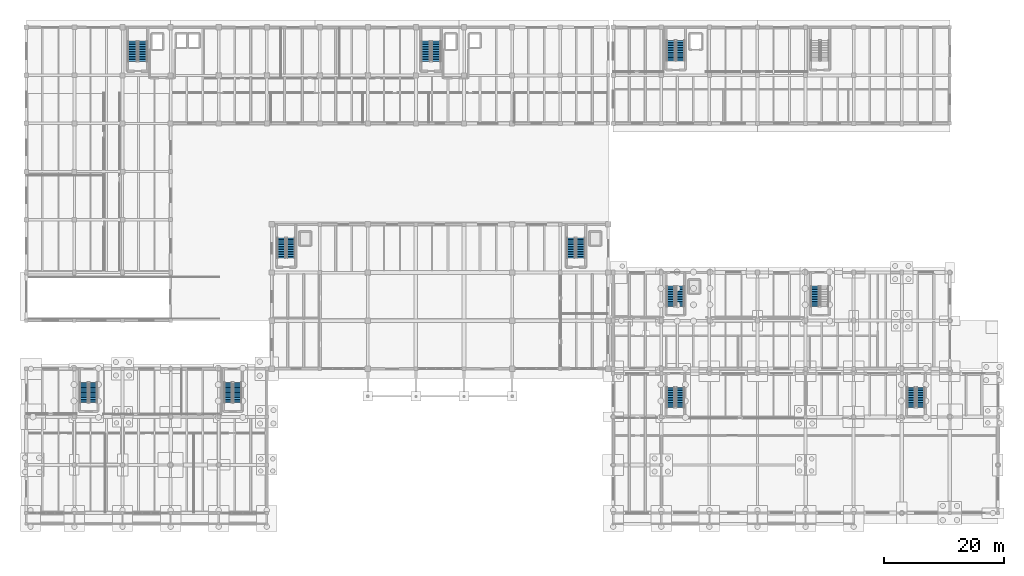
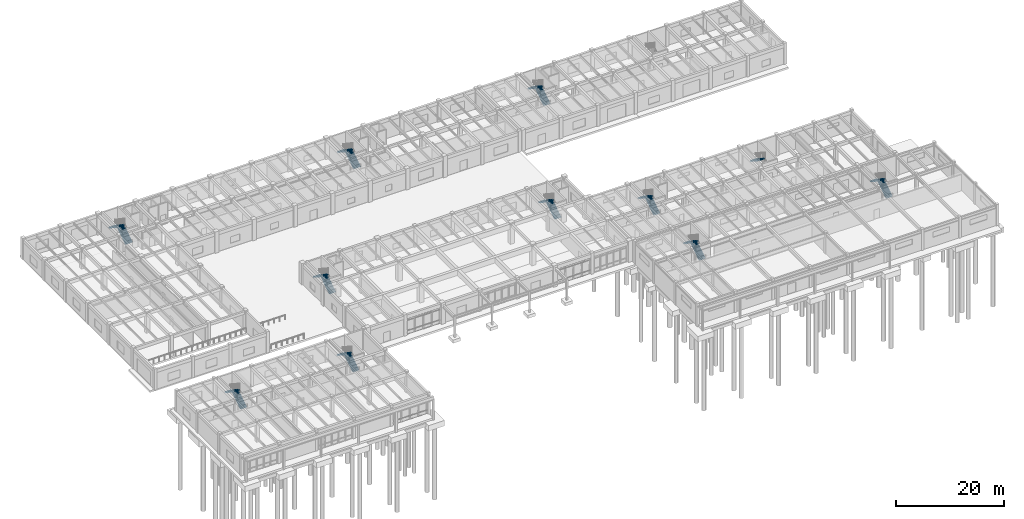
# One storey, part 45 of 64: 21 stair flights, 11 elements without a shape of their own.
"""IFC4 building model written with IfcOpenShell, lengths in metres."""

import ifcopenshell
import ifcopenshell.guid

model = None  # the IFC model being written
_history = None  # IfcOwnerHistory: only IFC2X3 demands one
_inside = {}  # id of a spatial element -> (the spatial element, [elements in it])
_under = {}  # id of a project, library or spatial element -> (it, [spatial elements below it])
_declared = {}  # id of a project -> (the project, [libraries it declares])
_typed = {}  # id of a type object -> (the type object, [elements of that type])
_made_of = {}  # id of a material, layer set ... -> (it, [elements and type objects made of it])


def new_model(schema):
    """Start an empty IFC model of exactly this schema.

    Asked for "IFC4X3", IfcOpenShell would pick the latest addendum, in which some entities
    have other attributes; the version numbers below select the first issue.
    IFC2X3 requires an IfcOwnerHistory on every rooted entity: one is made here for all.
    """
    global model, _history
    if schema == "IFC4X3":
        model = ifcopenshell.file(schema_version=(4, 3, 0, 0))
    else:
        model = ifcopenshell.file(schema=schema)
    _inside.clear()
    _under.clear()
    _declared.clear()
    _typed.clear()
    _made_of.clear()
    _history = None
    if model.schema == "IFC2X3":
        org = make("IfcOrganization", Name="unknown")
        user = make(
            "IfcPersonAndOrganization",
            ThePerson=make("IfcPerson", FamilyName="unknown"),
            TheOrganization=org,
        )
        app = make(
            "IfcApplication",
            ApplicationDeveloper=org,
            Version="unknown",
            ApplicationFullName="unknown",
            ApplicationIdentifier="unknown",
        )
        _history = make(
            "IfcOwnerHistory",
            OwningUser=user,
            OwningApplication=app,
            ChangeAction="ADDED",
            CreationDate=0,
        )
    return model


def make(cls, **values):
    """One entity of the class cls with the attributes given. An attribute that is None is left unset."""
    return model.create_entity(
        cls, **{name: value for name, value in values.items() if value is not None}
    )


def rooted(cls, **values):
    """An entity with a GlobalId (a new one), such as an element, a storey or a relation."""
    return make(cls, GlobalId=ifcopenshell.guid.new(), OwnerHistory=_history, **values)


def si_unit(unit_type, name, prefix=None):
    """IfcSIUnit, for example si_unit("LENGTHUNIT", "METRE", prefix="MILLI")."""
    return make("IfcSIUnit", UnitType=unit_type, Prefix=prefix, Name=name)


def assignment(units):
    """IfcUnitAssignment: the units of a project."""
    return None if units is None else make("IfcUnitAssignment", Units=units)


def point(xyz):
    """IfcCartesianPoint."""
    return None if xyz is None else make("IfcCartesianPoint", Coordinates=xyz)


def direction(xyz):
    """IfcDirection."""
    return None if xyz is None else make("IfcDirection", DirectionRatios=xyz)


def frame(location, z_axis=None, x_axis=None):
    """IfcAxis2Placement3D, a coordinate frame: its origin and axes. An axis left out is left unset."""
    return make(
        "IfcAxis2Placement3D",
        Location=point(location),
        Axis=direction(z_axis),
        RefDirection=direction(x_axis),
    )


def origin():
    """The frame at (0, 0, 0) with its axes left unset."""
    return frame((0.0, 0.0, 0.0))


def place(relative_to, where):
    """IfcLocalPlacement: puts the frame where relative to a parent placement (None: the world)."""
    return make(
        "IfcLocalPlacement", PlacementRelTo=relative_to, RelativePlacement=where
    )


def context(
    kind, dimensions, precision=None, world=None, true_north=None, identifier=None
):
    """IfcGeometricRepresentationContext, for example the 3D "Model" context."""
    return make(
        "IfcGeometricRepresentationContext",
        ContextIdentifier=identifier,
        ContextType=kind,
        CoordinateSpaceDimension=dimensions,
        Precision=precision,
        WorldCoordinateSystem=world,
        TrueNorth=true_north,
    )


def subcontext(parent, identifier, kind, view, scale=None):
    """IfcGeometricRepresentationSubContext, for example "Body" below "Model"."""
    return make(
        "IfcGeometricRepresentationSubContext",
        ContextIdentifier=identifier,
        ContextType=kind,
        ParentContext=parent,
        TargetScale=scale,
        TargetView=view,
    )


def project(units=None, contexts=None):
    """IfcProject with its units and contexts."""
    return rooted(
        "IfcProject",
        Name="project",
        RepresentationContexts=contexts,
        UnitsInContext=assignment(units),
    )


def spatial(cls, under=None, at=None, **own):
    """A site, building, storey or space (cls), placed at a placement, below another one or the project."""
    s = rooted(cls, ObjectPlacement=at, **own)
    if under is not None:
        _under.setdefault(under.id(), (under, []))[1].append(s)
    return s


def polyline(points):
    """IfcPolyline through the points."""
    return make("IfcPolyline", Points=[point(p) for p in points])


def outline(outer, holes=None, kind="AREA"):
    """IfcArbitraryClosedProfileDef: a profile drawn as a closed curve; with holes, ...WithVoids."""
    if holes is None:
        return make("IfcArbitraryClosedProfileDef", ProfileType=kind, OuterCurve=outer)
    return make(
        "IfcArbitraryProfileDefWithVoids",
        ProfileType=kind,
        OuterCurve=outer,
        InnerCurves=holes,
    )


def extrude(swept, where, along, depth):
    """IfcExtrudedAreaSolid: the profile swept, set in the frame where, extruded along a direction by depth."""
    return make(
        "IfcExtrudedAreaSolid",
        SweptArea=swept,
        Position=where,
        ExtrudedDirection=direction(along),
        Depth=depth,
    )


def shape(context_of_items, identifier, shape_type, items):
    """IfcShapeRepresentation: the items that make up one representation, for example the "Body"."""
    return make(
        "IfcShapeRepresentation",
        ContextOfItems=context_of_items,
        RepresentationIdentifier=identifier,
        RepresentationType=shape_type,
        Items=items,
    )


def material(Name=None, Category=None):
    """IfcMaterial."""
    return make("IfcMaterial", Name=Name, Category=Category)


def made_of(thing, what):
    """Note that an element or type object is made of a material, layer set ...; save() writes the relation."""
    if what is not None:
        _made_of.setdefault(what.id(), (what, []))[1].append(thing)
    return thing


def type_object(cls, material=None, **own):
    """A type object (cls), such as IfcWallType, which elements share."""
    return made_of(rooted(cls, **own), material)


def element(
    cls,
    number,
    at=None,
    inside=None,
    cuts=None,
    type_object=None,
    material=None,
    context=None,
    identifier="Body",
    shape_type=None,
    held_by="IfcProductDefinitionShape",
    body=None,
    shapes=None,
    **own,
):
    """One element of the class cls, such as IfcWall. Its Tag is "e" and its number.

    at: its placement. inside: the storey or other place that contains it. cuts: it is an
    opening in that element (IfcRelVoidsElement). A single representation is given by context,
    identifier, shape_type and body (its items); several are given by shapes. held_by: the class
    of the entity that holds the representations. save() writes the other relations.
    """
    e = rooted(cls, Tag="e%d" % number, ObjectPlacement=at, **own)
    if body is not None:
        shapes = [shape(context, identifier, shape_type, body)]
    if shapes is not None:
        e.Representation = make(held_by, Representations=shapes)
    if inside is not None:
        _inside.setdefault(inside.id(), (inside, []))[1].append(e)
    if cuts is not None:
        rooted(
            "IfcRelVoidsElement", RelatingBuildingElement=cuts, RelatedOpeningElement=e
        )
    if type_object is not None:
        _typed.setdefault(type_object.id(), (type_object, []))[1].append(e)
    return made_of(e, material)


def aggregate(whole, parts):
    """IfcRelAggregates: a whole, such as a stair, and the parts it consists of."""
    return rooted("IfcRelAggregates", RelatingObject=whole, RelatedObjects=parts)


def save(model, path):
    """Write the relations noted so far, then the file.

    IfcRelAggregates (storeys below a building ...), IfcRelContainedInSpatialStructure (elements
    in a storey), IfcRelDefinesByType, IfcRelAssociatesMaterial and IfcRelDeclares: one each for
    every whole, place, type object, material and project.
    """
    for whole, parts in _under.values():
        aggregate(whole, parts)
    for where, things in _inside.values():
        rooted(
            "IfcRelContainedInSpatialStructure",
            RelatedElements=things,
            RelatingStructure=where,
        )
    for kind, things in _typed.values():
        rooted("IfcRelDefinesByType", RelatedObjects=things, RelatingType=kind)
    for what, things in _made_of.values():
        rooted("IfcRelAssociatesMaterial", RelatedObjects=things, RelatingMaterial=what)
    for by, libraries in _declared.values():
        rooted("IfcRelDeclares", RelatingContext=by, RelatedDefinitions=libraries)
    model.write(path)


model = new_model("IFC4")

# Units and contexts
model_context = context("Model", 3, precision=1e-05, world=origin(), true_north=direction((0.0, 1.0)))
body_context = subcontext(model_context, "Body", "Model", "MODEL_VIEW")
ifc_project = project(units=[si_unit("LENGTHUNIT", "METRE"), si_unit("AREAUNIT", "SQUARE_METRE"), si_unit("VOLUMEUNIT", "CUBIC_METRE"), si_unit("PLANEANGLEUNIT", "RADIAN"), si_unit("MASSUNIT", "GRAM", prefix="KILO")], contexts=[model_context])

# Site, building, storey
site_placement = place(None, origin())
site = spatial("IfcSite", under=ifc_project, at=site_placement, CompositionType="ELEMENT")
building_placement = place(site_placement, origin())
building = spatial("IfcBuilding", under=site, at=building_placement, Name="Tlaxcora Railside Police Headquarters", CompositionType="ELEMENT")
storey_placement = place(building_placement, origin())
storey = spatial("IfcBuildingStorey", under=building, at=storey_placement, Name="L00", CompositionType="ELEMENT", Elevation=0.0)

# Stair, stair flights
ifc_material = material(Name="Concrete C40/50", Category="concrete")
stair_type_1 = type_object("IfcStairType", Name="Half-Turn Dog-Leg Stair ST-42", PredefinedType="HALF_TURN_STAIR", material=ifc_material)
stair_1_placement = place(storey_placement, origin())
stair_1 = element("IfcStair", 1, at=stair_1_placement, inside=storey, type_object=stair_type_1, Name="L00 ST6", PredefinedType="HALF_TURN_STAIR")
stair_flight_type_1 = type_object("IfcStairFlightType", Name="Straight Stair Flight SF-37", PredefinedType="STRAIGHT", material=ifc_material)
stair_flight_1_placement = place(storey_placement, frame((16.3349609375, 30.360107421875, 0.0), z_axis=(0.0, 0.0, 1.0), x_axis=(0.0, 1.0, 0.0)))
stair_flight_1 = element("IfcStairFlight", 2, at=stair_flight_1_placement, type_object=stair_flight_type_1, Name="ST6 flight 1", NumberOfRisers=13, NumberOfTreads=12, PredefinedType="STRAIGHT", RiserHeight=0.184615385, TreadLength=0.28, context=body_context, shape_type="SweptSolid", body=[
    extrude(outline(polyline([(0.0, 0.0), (0.0, 0.1845703125), (0.280029296875, 0.1845703125), (0.280029296875, 0.369140625), (0.56005859375, 0.369140625), (0.56005859375, 0.553955078125), (0.840087890625, 0.553955078125), (0.840087890625, 0.738525390625), (1.1201171875, 0.738525390625), (1.1201171875, 0.923095703125), (1.39990234375, 0.923095703125), (1.39990234375, 1.107666015625), (1.679931640625, 1.107666015625), (1.679931640625, 1.292236328125), (1.9599609375, 1.292236328125), (1.9599609375, 1.476806640625), (2.239990234375, 1.476806640625), (2.239990234375, 1.66162109375), (2.52001953125, 1.66162109375), (2.52001953125, 1.84619140625), (2.800048828125, 1.84619140625), (2.800048828125, 2.03076171875), (3.080078125, 2.03076171875), (3.080078125, 2.21533203125), (3.360107421875, 2.21533203125), (3.360107421875, 2.39990234375), (3.360107421875, 2.035888671875), (0.272216796875, 0.0), (0.0, 0.0)])), frame((0.0, 0.675048828125, 0.0), z_axis=(0.0, -1.0, 0.0), x_axis=(1.0, 0.0, 0.0)), (0.0, 0.0, 1.0), 1.35009765625),
])
stair_flight_2_placement = place(storey_placement, frame((14.784912109375, 33.719970703125, 2.39990234375), z_axis=(0.0, 0.0, 1.0), x_axis=(0.0, -1.0, 0.0)))
stair_flight_2 = element("IfcStairFlight", 3, at=stair_flight_2_placement, type_object=stair_flight_type_1, Name="ST6 flight 2", NumberOfRisers=13, NumberOfTreads=12, PredefinedType="STRAIGHT", RiserHeight=0.184615385, TreadLength=0.28, context=body_context, shape_type="SweptSolid", body=[
    extrude(outline(polyline([(0.0, 0.0), (0.0, 0.1845703125), (0.280029296875, 0.1845703125), (0.280029296875, 0.369140625), (0.56005859375, 0.369140625), (0.56005859375, 0.553955078125), (0.840087890625, 0.553955078125), (0.840087890625, 0.738525390625), (1.1201171875, 0.738525390625), (1.1201171875, 0.923095703125), (1.39990234375, 0.923095703125), (1.39990234375, 1.107666015625), (1.679931640625, 1.107666015625), (1.679931640625, 1.292236328125), (1.9599609375, 1.292236328125), (1.9599609375, 1.476806640625), (2.239990234375, 1.476806640625), (2.239990234375, 1.66162109375), (2.52001953125, 1.66162109375), (2.52001953125, 1.84619140625), (2.800048828125, 1.84619140625), (2.800048828125, 2.03076171875), (3.080078125, 2.03076171875), (3.080078125, 2.21533203125), (3.360107421875, 2.21533203125), (3.360107421875, 2.39990234375), (3.360107421875, 2.035888671875), (0.272216796875, 0.0), (0.0, 0.0)])), frame((0.0, 0.675048828125, 0.0), z_axis=(0.0, -1.0, 0.0), x_axis=(1.0, 0.0, 0.0)), (0.0, 0.0, 1.0), 1.35009765625),
])
aggregate(stair_1, [stair_flight_1, stair_flight_2])

stair_2_placement = place(storey_placement, origin())
stair_2 = element("IfcStair", 4, at=stair_2_placement, inside=storey, type_object=stair_type_1, Name="L00 ST10", PredefinedType="HALF_TURN_STAIR")
stair_flight_3_placement = place(storey_placement, frame((40.3349609375, 30.360107421875, 0.0), z_axis=(0.0, 0.0, 1.0), x_axis=(0.0, 1.0, 0.0)))
stair_flight_3 = element("IfcStairFlight", 5, at=stair_flight_3_placement, type_object=stair_flight_type_1, Name="ST10 flight 1", NumberOfRisers=13, NumberOfTreads=12, PredefinedType="STRAIGHT", RiserHeight=0.184615385, TreadLength=0.28, context=body_context, shape_type="SweptSolid", body=[
    extrude(outline(polyline([(0.0, 0.0), (0.0, 0.1845703125), (0.280029296875, 0.1845703125), (0.280029296875, 0.369140625), (0.56005859375, 0.369140625), (0.56005859375, 0.553955078125), (0.840087890625, 0.553955078125), (0.840087890625, 0.738525390625), (1.1201171875, 0.738525390625), (1.1201171875, 0.923095703125), (1.39990234375, 0.923095703125), (1.39990234375, 1.107666015625), (1.679931640625, 1.107666015625), (1.679931640625, 1.292236328125), (1.9599609375, 1.292236328125), (1.9599609375, 1.476806640625), (2.239990234375, 1.476806640625), (2.239990234375, 1.66162109375), (2.52001953125, 1.66162109375), (2.52001953125, 1.84619140625), (2.800048828125, 1.84619140625), (2.800048828125, 2.03076171875), (3.080078125, 2.03076171875), (3.080078125, 2.21533203125), (3.360107421875, 2.21533203125), (3.360107421875, 2.39990234375), (3.360107421875, 2.035888671875), (0.272216796875, 0.0), (0.0, 0.0)])), frame((0.0, 0.675048828125, 0.0), z_axis=(0.0, -1.0, 0.0), x_axis=(1.0, 0.0, 0.0)), (0.0, 0.0, 1.0), 1.35009765625),
])
stair_flight_4_placement = place(storey_placement, frame((38.784912109375, 33.719970703125, 2.39990234375), z_axis=(0.0, 0.0, 1.0), x_axis=(0.0, -1.0, 0.0)))
stair_flight_4 = element("IfcStairFlight", 6, at=stair_flight_4_placement, type_object=stair_flight_type_1, Name="ST10 flight 2", NumberOfRisers=13, NumberOfTreads=12, PredefinedType="STRAIGHT", RiserHeight=0.184615385, TreadLength=0.28, context=body_context, shape_type="SweptSolid", body=[
    extrude(outline(polyline([(0.0, 0.0), (0.0, 0.1845703125), (0.280029296875, 0.1845703125), (0.280029296875, 0.369140625), (0.56005859375, 0.369140625), (0.56005859375, 0.553955078125), (0.840087890625, 0.553955078125), (0.840087890625, 0.738525390625), (1.1201171875, 0.738525390625), (1.1201171875, 0.923095703125), (1.39990234375, 0.923095703125), (1.39990234375, 1.107666015625), (1.679931640625, 1.107666015625), (1.679931640625, 1.292236328125), (1.9599609375, 1.292236328125), (1.9599609375, 1.476806640625), (2.239990234375, 1.476806640625), (2.239990234375, 1.66162109375), (2.52001953125, 1.66162109375), (2.52001953125, 1.84619140625), (2.800048828125, 1.84619140625), (2.800048828125, 2.03076171875), (3.080078125, 2.03076171875), (3.080078125, 2.21533203125), (3.360107421875, 2.21533203125), (3.360107421875, 2.39990234375), (3.360107421875, 2.035888671875), (0.272216796875, 0.0), (0.0, 0.0)])), frame((0.0, 0.675048828125, 0.0), z_axis=(0.0, -1.0, 0.0), x_axis=(1.0, 0.0, 0.0)), (0.0, 0.0, 1.0), 1.35009765625),
])
aggregate(stair_2, [stair_flight_3, stair_flight_4])

stair_3_placement = place(storey_placement, origin())
stair_3 = element("IfcStair", 7, at=stair_3_placement, inside=storey, type_object=stair_type_1, Name="L00 ST5", PredefinedType="HALF_TURN_STAIR")
stair_flight_5_placement = place(storey_placement, frame((113.93505859375, 46.360107421875, 0.0), z_axis=(0.0, 0.0, 1.0), x_axis=(0.0, 1.0, 0.0)))
stair_flight_5 = element("IfcStairFlight", 8, at=stair_flight_5_placement, type_object=stair_flight_type_1, Name="ST5 flight 1", NumberOfRisers=13, NumberOfTreads=12, PredefinedType="STRAIGHT", RiserHeight=0.184615385, TreadLength=0.28, context=body_context, shape_type="SweptSolid", body=[
    extrude(outline(polyline([(0.0, 0.0), (0.0, 0.1845703125), (0.280029296875, 0.1845703125), (0.280029296875, 0.369140625), (0.56005859375, 0.369140625), (0.56005859375, 0.553955078125), (0.840087890625, 0.553955078125), (0.840087890625, 0.738525390625), (1.1201171875, 0.738525390625), (1.1201171875, 0.923095703125), (1.39990234375, 0.923095703125), (1.39990234375, 1.107666015625), (1.679931640625, 1.107666015625), (1.679931640625, 1.292236328125), (1.9599609375, 1.292236328125), (1.9599609375, 1.476806640625), (2.239990234375, 1.476806640625), (2.239990234375, 1.66162109375), (2.52001953125, 1.66162109375), (2.52001953125, 1.84619140625), (2.800048828125, 1.84619140625), (2.800048828125, 2.03076171875), (3.080078125, 2.03076171875), (3.080078125, 2.21533203125), (3.360107421875, 2.21533203125), (3.360107421875, 2.39990234375), (3.360107421875, 2.035888671875), (0.272216796875, 0.0), (0.0, 0.0)])), frame((0.0, 0.675048828125, 0.0), z_axis=(0.0, -1.0, 0.0), x_axis=(1.0, 0.0, 0.0)), (0.0, 0.0, 1.0), 1.35009765625),
])
stair_flight_6_placement = place(storey_placement, frame((112.385009765625, 49.719970703125, 2.39990234375), z_axis=(0.0, 0.0, 1.0), x_axis=(0.0, -1.0, 0.0)))
stair_flight_6 = element("IfcStairFlight", 9, at=stair_flight_6_placement, type_object=stair_flight_type_1, Name="ST5 flight 2", NumberOfRisers=13, NumberOfTreads=12, PredefinedType="STRAIGHT", RiserHeight=0.184615385, TreadLength=0.28, context=body_context, shape_type="SweptSolid", body=[
    extrude(outline(polyline([(0.0, 0.0), (0.0, 0.1845703125), (0.280029296875, 0.1845703125), (0.280029296875, 0.369140625), (0.56005859375, 0.369140625), (0.56005859375, 0.553955078125), (0.840087890625, 0.553955078125), (0.840087890625, 0.738525390625), (1.1201171875, 0.738525390625), (1.1201171875, 0.923095703125), (1.39990234375, 0.923095703125), (1.39990234375, 1.107666015625), (1.679931640625, 1.107666015625), (1.679931640625, 1.292236328125), (1.9599609375, 1.292236328125), (1.9599609375, 1.476806640625), (2.239990234375, 1.476806640625), (2.239990234375, 1.66162109375), (2.52001953125, 1.66162109375), (2.52001953125, 1.84619140625), (2.800048828125, 1.84619140625), (2.800048828125, 2.03076171875), (3.080078125, 2.03076171875), (3.080078125, 2.21533203125), (3.360107421875, 2.21533203125), (3.360107421875, 2.39990234375), (3.360107421875, 2.035888671875), (0.272216796875, 0.0), (0.0, 0.0)])), frame((0.0, 0.675048828125, 0.0), z_axis=(0.0, -1.0, 0.0), x_axis=(1.0, 0.0, 0.0)), (0.0, 0.0, 1.0), 1.35009765625),
])
aggregate(stair_3, [stair_flight_5, stair_flight_6])

# Stair, stair flight
stair_4_placement = place(storey_placement, origin())
stair_4 = element("IfcStair", 10, at=stair_4_placement, inside=storey, type_object=stair_type_1, Name="L00 ST11", PredefinedType="HALF_TURN_STAIR")
stair_flight_7_placement = place(storey_placement, frame((136.385009765625, 49.719970703125, 2.39990234375), z_axis=(0.0, 0.0, 1.0), x_axis=(0.0, -1.0, 0.0)))
stair_flight_7 = element("IfcStairFlight", 11, at=stair_flight_7_placement, type_object=stair_flight_type_1, Name="ST11 flight 2", NumberOfRisers=13, NumberOfTreads=12, PredefinedType="STRAIGHT", RiserHeight=0.184615385, TreadLength=0.28, context=body_context, shape_type="SweptSolid", body=[
    extrude(outline(polyline([(0.0, 0.0), (0.0, 0.1845703125), (0.280029296875, 0.1845703125), (0.280029296875, 0.369140625), (0.56005859375, 0.369140625), (0.56005859375, 0.553955078125), (0.840087890625, 0.553955078125), (0.840087890625, 0.738525390625), (1.1201171875, 0.738525390625), (1.1201171875, 0.923095703125), (1.39990234375, 0.923095703125), (1.39990234375, 1.107666015625), (1.679931640625, 1.107666015625), (1.679931640625, 1.292236328125), (1.9599609375, 1.292236328125), (1.9599609375, 1.476806640625), (2.239990234375, 1.476806640625), (2.239990234375, 1.66162109375), (2.52001953125, 1.66162109375), (2.52001953125, 1.84619140625), (2.800048828125, 1.84619140625), (2.800048828125, 2.03076171875), (3.080078125, 2.03076171875), (3.080078125, 2.21533203125), (3.360107421875, 2.21533203125), (3.360107421875, 2.39990234375), (3.360107421875, 2.035888671875), (0.272216796875, 0.0), (0.0, 0.0)])), frame((0.0, 0.675048828125, 0.0), z_axis=(0.0, -1.0, 0.0), x_axis=(1.0, 0.0, 0.0)), (0.0, 0.0, 1.0), 1.35009765625),
])
aggregate(stair_4, [stair_flight_7])

# Stair, stair flights
stair_5_placement = place(storey_placement, origin())
stair_5 = element("IfcStair", 12, at=stair_5_placement, inside=storey, type_object=stair_type_1, Name="L00 ST7", PredefinedType="HALF_TURN_STAIR")
stair_flight_8_placement = place(storey_placement, frame((113.93505859375, 29.56005859375, 0.0), z_axis=(0.0, 0.0, 1.0), x_axis=(0.0, 1.0, 0.0)))
stair_flight_8 = element("IfcStairFlight", 13, at=stair_flight_8_placement, type_object=stair_flight_type_1, Name="ST7 flight 1", NumberOfRisers=13, NumberOfTreads=12, PredefinedType="STRAIGHT", RiserHeight=0.184615385, TreadLength=0.28, context=body_context, shape_type="SweptSolid", body=[
    extrude(outline(polyline([(0.0, 0.0), (0.0, 0.1845703125), (0.280029296875, 0.1845703125), (0.280029296875, 0.369140625), (0.56005859375, 0.369140625), (0.56005859375, 0.553955078125), (0.840087890625, 0.553955078125), (0.840087890625, 0.738525390625), (1.1201171875, 0.738525390625), (1.1201171875, 0.923095703125), (1.39990234375, 0.923095703125), (1.39990234375, 1.107666015625), (1.679931640625, 1.107666015625), (1.679931640625, 1.292236328125), (1.9599609375, 1.292236328125), (1.9599609375, 1.476806640625), (2.239990234375, 1.476806640625), (2.239990234375, 1.66162109375), (2.52001953125, 1.66162109375), (2.52001953125, 1.84619140625), (2.800048828125, 1.84619140625), (2.800048828125, 2.03076171875), (3.080078125, 2.03076171875), (3.080078125, 2.21533203125), (3.360107421875, 2.21533203125), (3.360107421875, 2.39990234375), (3.360107421875, 2.035888671875), (0.272216796875, 0.0), (0.0, 0.0)])), frame((0.0, 0.675048828125, 0.0), z_axis=(0.0, -1.0, 0.0), x_axis=(1.0, 0.0, 0.0)), (0.0, 0.0, 1.0), 1.35009765625),
])
stair_flight_9_placement = place(storey_placement, frame((112.385009765625, 32.919921875, 2.39990234375), z_axis=(0.0, 0.0, 1.0), x_axis=(0.0, -1.0, 0.0)))
stair_flight_9 = element("IfcStairFlight", 14, at=stair_flight_9_placement, type_object=stair_flight_type_1, Name="ST7 flight 2", NumberOfRisers=13, NumberOfTreads=12, PredefinedType="STRAIGHT", RiserHeight=0.184615385, TreadLength=0.28, context=body_context, shape_type="SweptSolid", body=[
    extrude(outline(polyline([(0.0, 0.0), (0.0, 0.1845703125), (0.280029296875, 0.1845703125), (0.280029296875, 0.369140625), (0.56005859375, 0.369140625), (0.56005859375, 0.553955078125), (0.840087890625, 0.553955078125), (0.840087890625, 0.738525390625), (1.1201171875, 0.738525390625), (1.1201171875, 0.923095703125), (1.39990234375, 0.923095703125), (1.39990234375, 1.107666015625), (1.679931640625, 1.107666015625), (1.679931640625, 1.292236328125), (1.9599609375, 1.292236328125), (1.9599609375, 1.476806640625), (2.239990234375, 1.476806640625), (2.239990234375, 1.66162109375), (2.52001953125, 1.66162109375), (2.52001953125, 1.84619140625), (2.800048828125, 1.84619140625), (2.800048828125, 2.03076171875), (3.080078125, 2.03076171875), (3.080078125, 2.21533203125), (3.360107421875, 2.21533203125), (3.360107421875, 2.39990234375), (3.360107421875, 2.035888671875), (0.272216796875, 0.0), (0.0, 0.0)])), frame((0.0, 0.675048828125, 0.0), z_axis=(0.0, -1.0, 0.0), x_axis=(1.0, 0.0, 0.0)), (0.0, 0.0, 1.0), 1.35009765625),
])
aggregate(stair_5, [stair_flight_8, stair_flight_9])

stair_6_placement = place(storey_placement, origin())
stair_6 = element("IfcStair", 15, at=stair_6_placement, inside=storey, type_object=stair_type_1, Name="L00 ST12", PredefinedType="HALF_TURN_STAIR")
stair_flight_10_placement = place(storey_placement, frame((153.93505859375, 29.56005859375, 0.0), z_axis=(0.0, 0.0, 1.0), x_axis=(0.0, 1.0, 0.0)))
stair_flight_10 = element("IfcStairFlight", 16, at=stair_flight_10_placement, type_object=stair_flight_type_1, Name="ST12 flight 1", NumberOfRisers=13, NumberOfTreads=12, PredefinedType="STRAIGHT", RiserHeight=0.184615385, TreadLength=0.28, context=body_context, shape_type="SweptSolid", body=[
    extrude(outline(polyline([(0.0, 0.0), (0.0, 0.1845703125), (0.280029296875, 0.1845703125), (0.280029296875, 0.369140625), (0.56005859375, 0.369140625), (0.56005859375, 0.553955078125), (0.840087890625, 0.553955078125), (0.840087890625, 0.738525390625), (1.1201171875, 0.738525390625), (1.1201171875, 0.923095703125), (1.39990234375, 0.923095703125), (1.39990234375, 1.107666015625), (1.679931640625, 1.107666015625), (1.679931640625, 1.292236328125), (1.9599609375, 1.292236328125), (1.9599609375, 1.476806640625), (2.239990234375, 1.476806640625), (2.239990234375, 1.66162109375), (2.52001953125, 1.66162109375), (2.52001953125, 1.84619140625), (2.800048828125, 1.84619140625), (2.800048828125, 2.03076171875), (3.080078125, 2.03076171875), (3.080078125, 2.21533203125), (3.360107421875, 2.21533203125), (3.360107421875, 2.39990234375), (3.360107421875, 2.035888671875), (0.272216796875, 0.0), (0.0, 0.0)])), frame((0.0, 0.675048828125, 0.0), z_axis=(0.0, -1.0, 0.0), x_axis=(1.0, 0.0, 0.0)), (0.0, 0.0, 1.0), 1.35009765625),
])
stair_flight_11_placement = place(storey_placement, frame((152.385009765625, 32.919921875, 2.39990234375), z_axis=(0.0, 0.0, 1.0), x_axis=(0.0, -1.0, 0.0)))
stair_flight_11 = element("IfcStairFlight", 17, at=stair_flight_11_placement, type_object=stair_flight_type_1, Name="ST12 flight 2", NumberOfRisers=13, NumberOfTreads=12, PredefinedType="STRAIGHT", RiserHeight=0.184615385, TreadLength=0.28, context=body_context, shape_type="SweptSolid", body=[
    extrude(outline(polyline([(0.0, 0.0), (0.0, 0.1845703125), (0.280029296875, 0.1845703125), (0.280029296875, 0.369140625), (0.56005859375, 0.369140625), (0.56005859375, 0.553955078125), (0.840087890625, 0.553955078125), (0.840087890625, 0.738525390625), (1.1201171875, 0.738525390625), (1.1201171875, 0.923095703125), (1.39990234375, 0.923095703125), (1.39990234375, 1.107666015625), (1.679931640625, 1.107666015625), (1.679931640625, 1.292236328125), (1.9599609375, 1.292236328125), (1.9599609375, 1.476806640625), (2.239990234375, 1.476806640625), (2.239990234375, 1.66162109375), (2.52001953125, 1.66162109375), (2.52001953125, 1.84619140625), (2.800048828125, 1.84619140625), (2.800048828125, 2.03076171875), (3.080078125, 2.03076171875), (3.080078125, 2.21533203125), (3.360107421875, 2.21533203125), (3.360107421875, 2.39990234375), (3.360107421875, 2.035888671875), (0.272216796875, 0.0), (0.0, 0.0)])), frame((0.0, 0.675048828125, 0.0), z_axis=(0.0, -1.0, 0.0), x_axis=(1.0, 0.0, 0.0)), (0.0, 0.0, 1.0), 1.35009765625),
])
aggregate(stair_6, [stair_flight_10, stair_flight_11])

stair_type_2 = type_object("IfcStairType", Name="Half-Turn Dog-Leg Stair ST-67", PredefinedType="HALF_TURN_STAIR", material=ifc_material)
stair_7_placement = place(storey_placement, origin())
stair_7 = element("IfcStair", 18, at=stair_7_placement, inside=storey, type_object=stair_type_2, Name="L00 ST3", PredefinedType="HALF_TURN_STAIR")
stair_flight_type_2 = type_object("IfcStairFlightType", Name="Straight Stair Flight SF-62", PredefinedType="STRAIGHT", material=ifc_material)
stair_flight_12_placement = place(storey_placement, frame((114.010009765625, 87.2099609375, 0.0), z_axis=(0.0, 0.0, 1.0), x_axis=(0.0, 1.0, 0.0)))
stair_flight_12 = element("IfcStairFlight", 19, at=stair_flight_12_placement, type_object=stair_flight_type_2, Name="ST3 flight 1", NumberOfRisers=13, NumberOfTreads=12, PredefinedType="STRAIGHT", RiserHeight=0.184615385, TreadLength=0.28, context=body_context, shape_type="SweptSolid", body=[
    extrude(outline(polyline([(0.0, 0.0), (0.0, 0.1845703125), (0.280029296875, 0.1845703125), (0.280029296875, 0.369140625), (0.56005859375, 0.369140625), (0.56005859375, 0.553955078125), (0.840087890625, 0.553955078125), (0.840087890625, 0.738525390625), (1.1201171875, 0.738525390625), (1.1201171875, 0.923095703125), (1.39990234375, 0.923095703125), (1.39990234375, 1.107666015625), (1.679931640625, 1.107666015625), (1.679931640625, 1.292236328125), (1.9599609375, 1.292236328125), (1.9599609375, 1.476806640625), (2.239990234375, 1.476806640625), (2.239990234375, 1.66162109375), (2.52001953125, 1.66162109375), (2.52001953125, 1.84619140625), (2.800048828125, 1.84619140625), (2.800048828125, 2.03076171875), (3.080078125, 2.03076171875), (3.080078125, 2.21533203125), (3.360107421875, 2.21533203125), (3.360107421875, 2.39990234375), (3.360107421875, 2.035888671875), (0.272216796875, 0.0), (0.0, 0.0)])), frame((0.0, 0.699951171875, 0.0), z_axis=(0.0, -1.0, 0.0), x_axis=(1.0, 0.0, 0.0)), (0.0, 0.0, 1.0), 1.39990234375),
])
stair_flight_13_placement = place(storey_placement, frame((112.409912109375, 90.570068359375, 2.39990234375), z_axis=(0.0, 0.0, 1.0), x_axis=(0.0, -1.0, 0.0)))
stair_flight_13 = element("IfcStairFlight", 20, at=stair_flight_13_placement, type_object=stair_flight_type_2, Name="ST3 flight 2", NumberOfRisers=13, NumberOfTreads=12, PredefinedType="STRAIGHT", RiserHeight=0.184615385, TreadLength=0.28, context=body_context, shape_type="SweptSolid", body=[
    extrude(outline(polyline([(0.0, 0.0), (0.0, 0.1845703125), (0.280029296875, 0.1845703125), (0.280029296875, 0.369140625), (0.56005859375, 0.369140625), (0.56005859375, 0.553955078125), (0.840087890625, 0.553955078125), (0.840087890625, 0.738525390625), (1.1201171875, 0.738525390625), (1.1201171875, 0.923095703125), (1.39990234375, 0.923095703125), (1.39990234375, 1.107666015625), (1.679931640625, 1.107666015625), (1.679931640625, 1.292236328125), (1.9599609375, 1.292236328125), (1.9599609375, 1.476806640625), (2.239990234375, 1.476806640625), (2.239990234375, 1.66162109375), (2.52001953125, 1.66162109375), (2.52001953125, 1.84619140625), (2.800048828125, 1.84619140625), (2.800048828125, 2.03076171875), (3.080078125, 2.03076171875), (3.080078125, 2.21533203125), (3.360107421875, 2.21533203125), (3.360107421875, 2.39990234375), (3.360107421875, 2.035888671875), (0.272216796875, 0.0), (0.0, 0.0)])), frame((0.0, 0.699951171875, 0.0), z_axis=(0.0, -1.0, 0.0), x_axis=(1.0, 0.0, 0.0)), (0.0, 0.0, 1.0), 1.39990234375),
])
aggregate(stair_7, [stair_flight_12, stair_flight_13])

stair_8_placement = place(storey_placement, origin())
stair_8 = element("IfcStair", 21, at=stair_8_placement, inside=storey, type_object=stair_type_2, Name="L00 ST4", PredefinedType="HALF_TURN_STAIR")
stair_flight_14_placement = place(storey_placement, frame((49.2099609375, 54.409912109375, 0.0), z_axis=(0.0, 0.0, 1.0), x_axis=(0.0, 1.0, 0.0)))
stair_flight_14 = element("IfcStairFlight", 22, at=stair_flight_14_placement, type_object=stair_flight_type_2, Name="ST4 flight 1", NumberOfRisers=13, NumberOfTreads=12, PredefinedType="STRAIGHT", RiserHeight=0.184615385, TreadLength=0.28, context=body_context, shape_type="SweptSolid", body=[
    extrude(outline(polyline([(0.0, 0.0), (0.0, 0.1845703125), (0.280029296875, 0.1845703125), (0.280029296875, 0.369140625), (0.56005859375, 0.369140625), (0.56005859375, 0.553955078125), (0.840087890625, 0.553955078125), (0.840087890625, 0.738525390625), (1.1201171875, 0.738525390625), (1.1201171875, 0.923095703125), (1.39990234375, 0.923095703125), (1.39990234375, 1.107666015625), (1.679931640625, 1.107666015625), (1.679931640625, 1.292236328125), (1.9599609375, 1.292236328125), (1.9599609375, 1.476806640625), (2.239990234375, 1.476806640625), (2.239990234375, 1.66162109375), (2.52001953125, 1.66162109375), (2.52001953125, 1.84619140625), (2.800048828125, 1.84619140625), (2.800048828125, 2.03076171875), (3.080078125, 2.03076171875), (3.080078125, 2.21533203125), (3.360107421875, 2.21533203125), (3.360107421875, 2.39990234375), (3.360107421875, 2.035888671875), (0.272216796875, 0.0), (0.0, 0.0)])), frame((0.0, 0.699951171875, 0.0), z_axis=(0.0, -1.0, 0.0), x_axis=(1.0, 0.0, 0.0)), (0.0, 0.0, 1.0), 1.39990234375),
])
stair_flight_15_placement = place(storey_placement, frame((47.610107421875, 57.77001953125, 2.39990234375), z_axis=(0.0, 0.0, 1.0), x_axis=(0.0, -1.0, 0.0)))
stair_flight_15 = element("IfcStairFlight", 23, at=stair_flight_15_placement, type_object=stair_flight_type_2, Name="ST4 flight 2", NumberOfRisers=13, NumberOfTreads=12, PredefinedType="STRAIGHT", RiserHeight=0.184615385, TreadLength=0.28, context=body_context, shape_type="SweptSolid", body=[
    extrude(outline(polyline([(0.0, 0.0), (0.0, 0.1845703125), (0.280029296875, 0.1845703125), (0.280029296875, 0.369140625), (0.56005859375, 0.369140625), (0.56005859375, 0.553955078125), (0.840087890625, 0.553955078125), (0.840087890625, 0.738525390625), (1.1201171875, 0.738525390625), (1.1201171875, 0.923095703125), (1.39990234375, 0.923095703125), (1.39990234375, 1.107666015625), (1.679931640625, 1.107666015625), (1.679931640625, 1.292236328125), (1.9599609375, 1.292236328125), (1.9599609375, 1.476806640625), (2.239990234375, 1.476806640625), (2.239990234375, 1.66162109375), (2.52001953125, 1.66162109375), (2.52001953125, 1.84619140625), (2.800048828125, 1.84619140625), (2.800048828125, 2.03076171875), (3.080078125, 2.03076171875), (3.080078125, 2.21533203125), (3.360107421875, 2.21533203125), (3.360107421875, 2.39990234375), (3.360107421875, 2.035888671875), (0.272216796875, 0.0), (0.0, 0.0)])), frame((0.0, 0.699951171875, 0.0), z_axis=(0.0, -1.0, 0.0), x_axis=(1.0, 0.0, 0.0)), (0.0, 0.0, 1.0), 1.39990234375),
])
aggregate(stair_8, [stair_flight_14, stair_flight_15])

stair_9_placement = place(storey_placement, origin())
stair_9 = element("IfcStair", 24, at=stair_9_placement, inside=storey, type_object=stair_type_2, Name="L00 ST9", PredefinedType="HALF_TURN_STAIR")
stair_flight_16_placement = place(storey_placement, frame((97.409912109375, 54.409912109375, 0.0), z_axis=(0.0, 0.0, 1.0), x_axis=(0.0, 1.0, 0.0)))
stair_flight_16 = element("IfcStairFlight", 25, at=stair_flight_16_placement, type_object=stair_flight_type_2, Name="ST9 flight 1", NumberOfRisers=13, NumberOfTreads=12, PredefinedType="STRAIGHT", RiserHeight=0.184615385, TreadLength=0.28, context=body_context, shape_type="SweptSolid", body=[
    extrude(outline(polyline([(0.0, 0.0), (0.0, 0.1845703125), (0.280029296875, 0.1845703125), (0.280029296875, 0.369140625), (0.56005859375, 0.369140625), (0.56005859375, 0.553955078125), (0.840087890625, 0.553955078125), (0.840087890625, 0.738525390625), (1.1201171875, 0.738525390625), (1.1201171875, 0.923095703125), (1.39990234375, 0.923095703125), (1.39990234375, 1.107666015625), (1.679931640625, 1.107666015625), (1.679931640625, 1.292236328125), (1.9599609375, 1.292236328125), (1.9599609375, 1.476806640625), (2.239990234375, 1.476806640625), (2.239990234375, 1.66162109375), (2.52001953125, 1.66162109375), (2.52001953125, 1.84619140625), (2.800048828125, 1.84619140625), (2.800048828125, 2.03076171875), (3.080078125, 2.03076171875), (3.080078125, 2.21533203125), (3.360107421875, 2.21533203125), (3.360107421875, 2.39990234375), (3.360107421875, 2.035888671875), (0.272216796875, 0.0), (0.0, 0.0)])), frame((0.0, 0.699951171875, 0.0), z_axis=(0.0, -1.0, 0.0), x_axis=(1.0, 0.0, 0.0)), (0.0, 0.0, 1.0), 1.39990234375),
])
stair_flight_17_placement = place(storey_placement, frame((95.81005859375, 57.77001953125, 2.39990234375), z_axis=(0.0, 0.0, 1.0), x_axis=(0.0, -1.0, 0.0)))
stair_flight_17 = element("IfcStairFlight", 26, at=stair_flight_17_placement, type_object=stair_flight_type_2, Name="ST9 flight 2", NumberOfRisers=13, NumberOfTreads=12, PredefinedType="STRAIGHT", RiserHeight=0.184615385, TreadLength=0.28, context=body_context, shape_type="SweptSolid", body=[
    extrude(outline(polyline([(0.0, 0.0), (0.0, 0.1845703125), (0.280029296875, 0.1845703125), (0.280029296875, 0.369140625), (0.56005859375, 0.369140625), (0.56005859375, 0.553955078125), (0.840087890625, 0.553955078125), (0.840087890625, 0.738525390625), (1.1201171875, 0.738525390625), (1.1201171875, 0.923095703125), (1.39990234375, 0.923095703125), (1.39990234375, 1.107666015625), (1.679931640625, 1.107666015625), (1.679931640625, 1.292236328125), (1.9599609375, 1.292236328125), (1.9599609375, 1.476806640625), (2.239990234375, 1.476806640625), (2.239990234375, 1.66162109375), (2.52001953125, 1.66162109375), (2.52001953125, 1.84619140625), (2.800048828125, 1.84619140625), (2.800048828125, 2.03076171875), (3.080078125, 2.03076171875), (3.080078125, 2.21533203125), (3.360107421875, 2.21533203125), (3.360107421875, 2.39990234375), (3.360107421875, 2.035888671875), (0.272216796875, 0.0), (0.0, 0.0)])), frame((0.0, 0.699951171875, 0.0), z_axis=(0.0, -1.0, 0.0), x_axis=(1.0, 0.0, 0.0)), (0.0, 0.0, 1.0), 1.39990234375),
])
aggregate(stair_9, [stair_flight_16, stair_flight_17])

stair_type_3 = type_object("IfcStairType", Name="Half-Turn Dog-Leg Stair ST-66", PredefinedType="HALF_TURN_STAIR", material=ifc_material)
stair_10_placement = place(storey_placement, origin())
stair_10 = element("IfcStair", 27, at=stair_10_placement, inside=storey, type_object=stair_type_3, Name="L00 ST1", PredefinedType="HALF_TURN_STAIR")
stair_flight_type_3 = type_object("IfcStairFlightType", Name="Straight Stair Flight SF-97", PredefinedType="STRAIGHT", material=ifc_material)
stair_flight_18_placement = place(storey_placement, frame((24.56005859375, 87.110107421875, 0.0), z_axis=(0.0, 0.0, 1.0), x_axis=(0.0, 1.0, 0.0)))
stair_flight_18 = element("IfcStairFlight", 28, at=stair_flight_18_placement, type_object=stair_flight_type_3, Name="ST1 flight 1", NumberOfRisers=13, NumberOfTreads=12, PredefinedType="STRAIGHT", RiserHeight=0.184615385, TreadLength=0.28, context=body_context, shape_type="SweptSolid", body=[
    extrude(outline(polyline([(0.0, 0.0), (0.0, 0.1845703125), (0.280029296875, 0.1845703125), (0.280029296875, 0.369140625), (0.56005859375, 0.369140625), (0.56005859375, 0.553955078125), (0.840087890625, 0.553955078125), (0.840087890625, 0.738525390625), (1.1201171875, 0.738525390625), (1.1201171875, 0.923095703125), (1.39990234375, 0.923095703125), (1.39990234375, 1.107666015625), (1.679931640625, 1.107666015625), (1.679931640625, 1.292236328125), (1.9599609375, 1.292236328125), (1.9599609375, 1.476806640625), (2.239990234375, 1.476806640625), (2.239990234375, 1.66162109375), (2.52001953125, 1.66162109375), (2.52001953125, 1.84619140625), (2.800048828125, 1.84619140625), (2.800048828125, 2.03076171875), (3.080078125, 2.03076171875), (3.080078125, 2.21533203125), (3.360107421875, 2.21533203125), (3.360107421875, 2.39990234375), (3.360107421875, 2.035888671875), (0.272216796875, 0.0), (0.0, 0.0)])), frame((0.0, 0.75, 0.0), z_axis=(0.0, -1.0, 0.0), x_axis=(1.0, 0.0, 0.0)), (0.0, 0.0, 1.0), 1.5),
])
stair_flight_19_placement = place(storey_placement, frame((22.860107421875, 90.469970703125, 2.39990234375), z_axis=(0.0, 0.0, 1.0), x_axis=(0.0, -1.0, 0.0)))
stair_flight_19 = element("IfcStairFlight", 29, at=stair_flight_19_placement, type_object=stair_flight_type_3, Name="ST1 flight 2", NumberOfRisers=13, NumberOfTreads=12, PredefinedType="STRAIGHT", RiserHeight=0.184615385, TreadLength=0.28, context=body_context, shape_type="SweptSolid", body=[
    extrude(outline(polyline([(0.0, 0.0), (0.0, 0.1845703125), (0.280029296875, 0.1845703125), (0.280029296875, 0.369140625), (0.56005859375, 0.369140625), (0.56005859375, 0.553955078125), (0.840087890625, 0.553955078125), (0.840087890625, 0.738525390625), (1.1201171875, 0.738525390625), (1.1201171875, 0.923095703125), (1.39990234375, 0.923095703125), (1.39990234375, 1.107666015625), (1.679931640625, 1.107666015625), (1.679931640625, 1.292236328125), (1.9599609375, 1.292236328125), (1.9599609375, 1.476806640625), (2.239990234375, 1.476806640625), (2.239990234375, 1.66162109375), (2.52001953125, 1.66162109375), (2.52001953125, 1.84619140625), (2.800048828125, 1.84619140625), (2.800048828125, 2.03076171875), (3.080078125, 2.03076171875), (3.080078125, 2.21533203125), (3.360107421875, 2.21533203125), (3.360107421875, 2.39990234375), (3.360107421875, 2.035888671875), (0.272216796875, 0.0), (0.0, 0.0)])), frame((0.0, 0.75, 0.0), z_axis=(0.0, -1.0, 0.0), x_axis=(1.0, 0.0, 0.0)), (0.0, 0.0, 1.0), 1.5),
])
aggregate(stair_10, [stair_flight_18, stair_flight_19])

stair_11_placement = place(storey_placement, origin())
stair_11 = element("IfcStair", 30, at=stair_11_placement, inside=storey, type_object=stair_type_3, Name="L00 ST2", PredefinedType="HALF_TURN_STAIR")
stair_flight_20_placement = place(storey_placement, frame((73.360107421875, 87.110107421875, 0.0), z_axis=(0.0, 0.0, 1.0), x_axis=(0.0, 1.0, 0.0)))
stair_flight_20 = element("IfcStairFlight", 31, at=stair_flight_20_placement, type_object=stair_flight_type_3, Name="ST2 flight 1", NumberOfRisers=13, NumberOfTreads=12, PredefinedType="STRAIGHT", RiserHeight=0.184615385, TreadLength=0.28, context=body_context, shape_type="SweptSolid", body=[
    extrude(outline(polyline([(0.0, 0.0), (0.0, 0.1845703125), (0.280029296875, 0.1845703125), (0.280029296875, 0.369140625), (0.56005859375, 0.369140625), (0.56005859375, 0.553955078125), (0.840087890625, 0.553955078125), (0.840087890625, 0.738525390625), (1.1201171875, 0.738525390625), (1.1201171875, 0.923095703125), (1.39990234375, 0.923095703125), (1.39990234375, 1.107666015625), (1.679931640625, 1.107666015625), (1.679931640625, 1.292236328125), (1.9599609375, 1.292236328125), (1.9599609375, 1.476806640625), (2.239990234375, 1.476806640625), (2.239990234375, 1.66162109375), (2.52001953125, 1.66162109375), (2.52001953125, 1.84619140625), (2.800048828125, 1.84619140625), (2.800048828125, 2.03076171875), (3.080078125, 2.03076171875), (3.080078125, 2.21533203125), (3.360107421875, 2.21533203125), (3.360107421875, 2.39990234375), (3.360107421875, 2.035888671875), (0.272216796875, 0.0), (0.0, 0.0)])), frame((0.0, 0.75, 0.0), z_axis=(0.0, -1.0, 0.0), x_axis=(1.0, 0.0, 0.0)), (0.0, 0.0, 1.0), 1.5),
])
stair_flight_21_placement = place(storey_placement, frame((71.659912109375, 90.469970703125, 2.39990234375), z_axis=(0.0, 0.0, 1.0), x_axis=(0.0, -1.0, 0.0)))
stair_flight_21 = element("IfcStairFlight", 32, at=stair_flight_21_placement, type_object=stair_flight_type_3, Name="ST2 flight 2", NumberOfRisers=13, NumberOfTreads=12, PredefinedType="STRAIGHT", RiserHeight=0.184615385, TreadLength=0.28, context=body_context, shape_type="SweptSolid", body=[
    extrude(outline(polyline([(0.0, 0.0), (0.0, 0.1845703125), (0.280029296875, 0.1845703125), (0.280029296875, 0.369140625), (0.56005859375, 0.369140625), (0.56005859375, 0.553955078125), (0.840087890625, 0.553955078125), (0.840087890625, 0.738525390625), (1.1201171875, 0.738525390625), (1.1201171875, 0.923095703125), (1.39990234375, 0.923095703125), (1.39990234375, 1.107666015625), (1.679931640625, 1.107666015625), (1.679931640625, 1.292236328125), (1.9599609375, 1.292236328125), (1.9599609375, 1.476806640625), (2.239990234375, 1.476806640625), (2.239990234375, 1.66162109375), (2.52001953125, 1.66162109375), (2.52001953125, 1.84619140625), (2.800048828125, 1.84619140625), (2.800048828125, 2.03076171875), (3.080078125, 2.03076171875), (3.080078125, 2.21533203125), (3.360107421875, 2.21533203125), (3.360107421875, 2.39990234375), (3.360107421875, 2.035888671875), (0.272216796875, 0.0), (0.0, 0.0)])), frame((0.0, 0.75, 0.0), z_axis=(0.0, -1.0, 0.0), x_axis=(1.0, 0.0, 0.0)), (0.0, 0.0, 1.0), 1.5),
])
aggregate(stair_11, [stair_flight_20, stair_flight_21])

save(model, "model.ifc")
